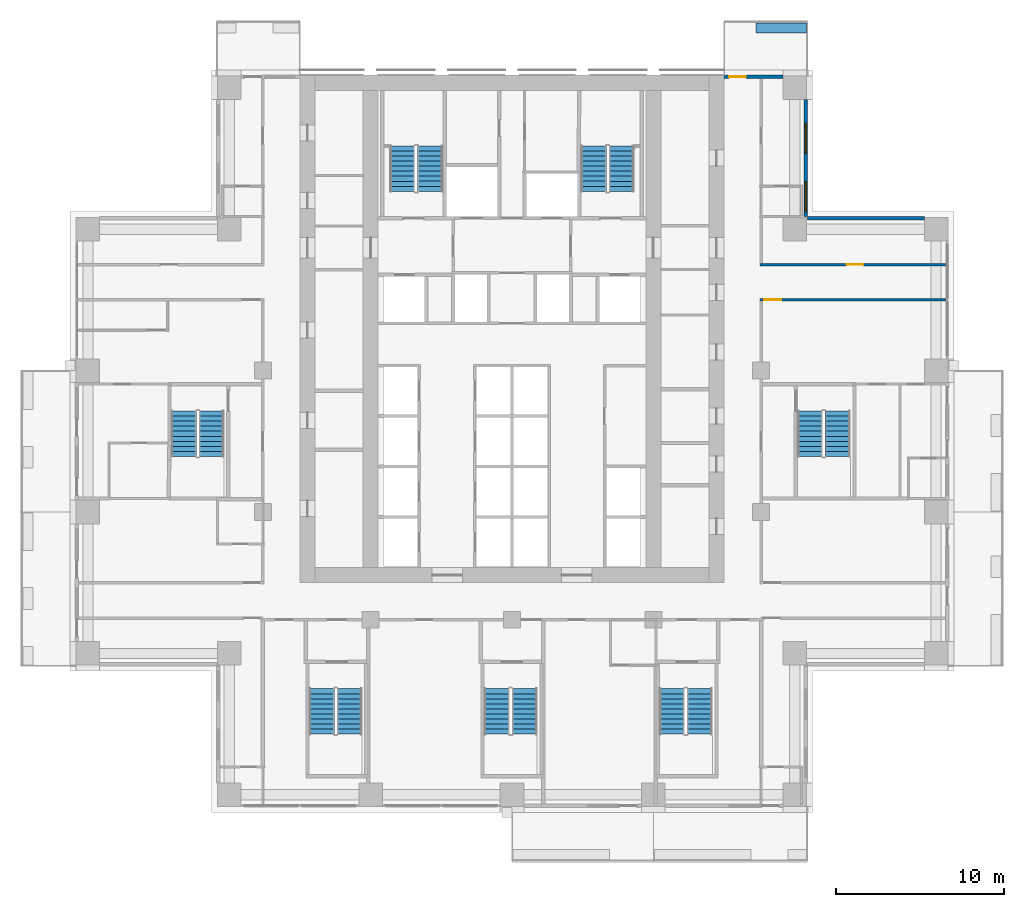
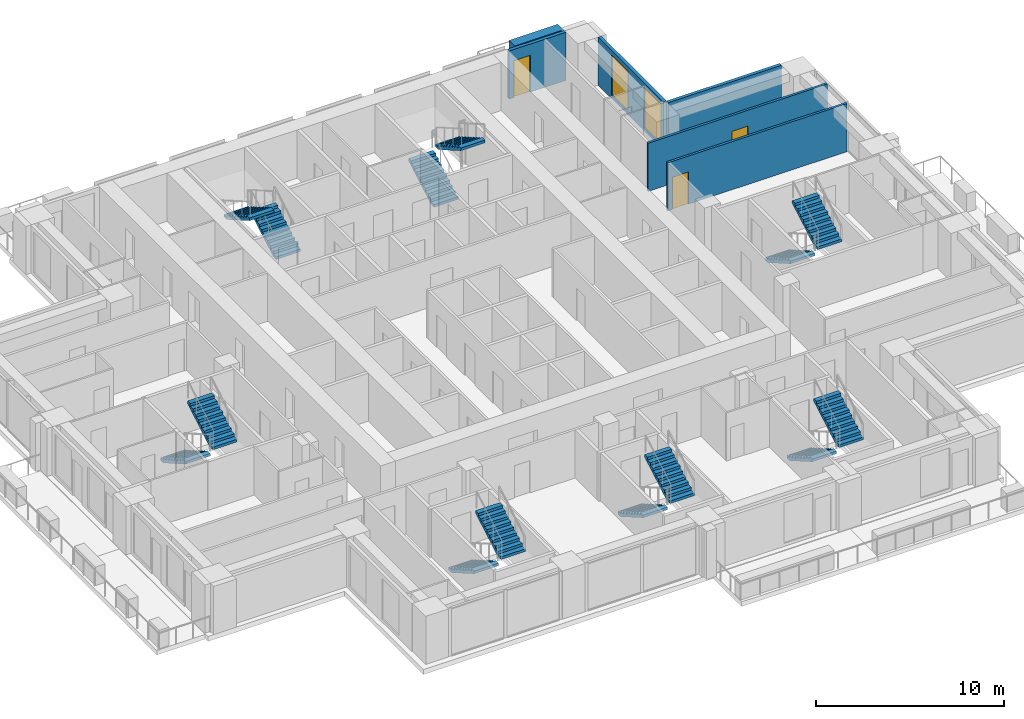
# One storey, part 14 of 17: 14 stair flights, 6 walls, 3 doors, 2 windows, 5 openings, 7 elements without a shape of their own.
"""IFC4 building model written with IfcOpenShell, lengths in metres."""

from ifc_helpers import new_model, si_unit, direction, frame, frame_2d, origin, place, context, subcontext, project, spatial, polyline, rectangle, outline, extrude, material, layer, layer_set, type_object, element, fill, aggregate, save


model = new_model("IFC4")

# Units and contexts
model_context = context("Model", 3, precision=1e-05, world=origin(), true_north=direction((0.0, 1.0)))
body_context = subcontext(model_context, "Body", "Model", "MODEL_VIEW")
ifc_project = project(units=[si_unit("LENGTHUNIT", "METRE"), si_unit("AREAUNIT", "SQUARE_METRE"), si_unit("VOLUMEUNIT", "CUBIC_METRE"), si_unit("PLANEANGLEUNIT", "RADIAN"), si_unit("MASSUNIT", "GRAM", prefix="KILO")], contexts=[model_context])

# Site, building, storey
site_placement = place(None, origin())
site = spatial("IfcSite", under=ifc_project, at=site_placement, CompositionType="ELEMENT")
building_placement = place(site_placement, origin())
building = spatial("IfcBuilding", under=site, at=building_placement, Name="Vermilion Ogive Tower", CompositionType="ELEMENT")
storey_placement = place(building_placement, frame((0.0, 0.0, 51.75)))
storey = spatial("IfcBuildingStorey", under=building, at=storey_placement, Name="L11", CompositionType="ELEMENT", Elevation=51.75)

# Wall, opening, door
ifc_material_1 = material(Name="Gypsum board partition on steel studs", Category="steel")
ifc_layer_1 = layer(ifc_material_1, 0.14990234375)
ifc_layer_set_1 = layer_set([ifc_layer_1], Name="Partition 150 corridor")
wall_type_1 = type_object("IfcWallType", Name="Partition 150 corridor", PredefinedType="PARTITIONING", material=ifc_layer_set_1)
wall_1_placement = place(storey_placement, frame((14.72509765625, 8.39990234375, 0.0), z_axis=(0.0, 0.0, 1.0), x_axis=(1.0, 0.0, 0.0)))
wall_1 = element("IfcWall", 1, at=wall_1_placement, inside=storey, type_object=wall_type_1, Name="L11-W-W032", PredefinedType="PARTITIONING", context=body_context, shape_type="SweptSolid", body=[
    extrude(rectangle(XDim=11.02490234375, YDim=0.14990234375, at=frame_2d((5.512451171875, 0.0))), origin(), (0.0, 0.0, 1.0), 3.1298828125),
])
opening_1_placement = place(wall_1_placement, frame((0.27490234375, 0.0, 0.0)))
opening_1 = element("IfcOpeningElement", 2, at=opening_1_placement, cuts=wall_1, Name="Opening D1G3018", PredefinedType="OPENING", context=body_context, shape_type="SweptSolid", body=[
    extrude(rectangle(XDim=1.0, YDim=2.10009765625, at=frame_2d((0.5, 1.050048828125))), frame((0.0, 0.0849609375, 0.0), z_axis=(0.0, -1.0, 0.0), x_axis=(1.0, 0.0, 0.0)), (0.0, 0.0, 1.0), 0.169921875),
])
ifc_material_2 = material(Name="Timber door leaf", Category="wood")
door_type_1 = type_object("IfcDoorType", Name="Unit door 1000 x 2100 FD30S", OperationType="SINGLE_SWING_LEFT", PredefinedType="DOOR", material=ifc_material_2)
door_1_placement = place(opening_1_placement, origin())
door_1 = element("IfcDoor", 3, at=door_1_placement, inside=storey, type_object=door_type_1, Name="L11-D-D018", OperationType="SINGLE_SWING_RIGHT", OverallHeight=2.10009765625, OverallWidth=1.0, PredefinedType="DOOR", context=body_context, shape_type="SweptSolid", body=[
    extrude(rectangle(XDim=1.0, YDim=2.10009765625, at=frame_2d((0.5, 1.050048828125))), frame((0.0, 0.02490234375, 0.0), z_axis=(0.0, -1.0, 0.0), x_axis=(1.0, 0.0, 0.0)), (0.0, 0.0, 1.0), 0.050048828125),
])
fill(opening_1, door_1)

wall_2_placement = place(storey_placement, frame((14.72509765625, 10.5, 0.0), z_axis=(0.0, 0.0, 1.0), x_axis=(1.0, 0.0, 0.0)))
wall_2 = element("IfcWall", 4, at=wall_2_placement, inside=storey, type_object=wall_type_1, Name="L11-W-W034", PredefinedType="PARTITIONING", context=body_context, shape_type="SweptSolid", body=[
    extrude(rectangle(XDim=11.02490234375, YDim=0.14990234375, at=frame_2d((5.512451171875, 0.0))), origin(), (0.0, 0.0, 1.0), 3.1298828125),
])
opening_2_placement = place(wall_2_placement, frame((5.14990234375, 0.0, 0.0)))
opening_2 = element("IfcOpeningElement", 5, at=opening_2_placement, cuts=wall_2, Name="Opening D1G3036", PredefinedType="OPENING", context=body_context, shape_type="SweptSolid", body=[
    extrude(rectangle(XDim=1.0, YDim=2.10009765625, at=frame_2d((0.5, 1.050048828125))), frame((0.0, 0.0849609375, 0.0), z_axis=(0.0, -1.0, 0.0), x_axis=(1.0, 0.0, 0.0)), (0.0, 0.0, 1.0), 0.169921875),
])
door_2_placement = place(opening_2_placement, origin())
door_2 = element("IfcDoor", 6, at=door_2_placement, inside=storey, type_object=door_type_1, Name="L11-D-D036", OperationType="SINGLE_SWING_RIGHT", OverallHeight=2.10009765625, OverallWidth=1.0, PredefinedType="DOOR", context=body_context, shape_type="SweptSolid", body=[
    extrude(rectangle(XDim=1.0, YDim=2.10009765625, at=frame_2d((0.5, 1.050048828125))), frame((0.0, 0.02490234375, 0.0), z_axis=(0.0, -1.0, 0.0), x_axis=(1.0, 0.0, 0.0)), (0.0, 0.0, 1.0), 0.050048828125),
])
fill(opening_2, door_2)

# Walls
ifc_material_3 = material(Name="Concrete B40", Category="concrete")
ifc_layer_2 = layer(ifc_material_3, 0.60009765625)
ifc_layer_set_2 = layer_set([ifc_layer_2], Name="Structural planter")
wall_type_2 = type_object("IfcWallType", Name="Structural planter", PredefinedType="USERDEFINED", material=ifc_layer_set_2)
wall_3_placement = place(storey_placement, frame((17.489990234375, 24.550048828125, -0.0400390625), z_axis=(0.0, 0.0, 1.0), x_axis=(-1.0, 0.0, 0.0)))
element("IfcWall", 7, at=wall_3_placement, inside=storey, type_object=wall_type_2, Name="Planter N101A1", ObjectType="PLANTER", PredefinedType="USERDEFINED", context=body_context, shape_type="SweptSolid", body=[
    extrude(rectangle(XDim=2.989990234375, YDim=0.60009765625, at=frame_2d((1.4951171875, 0.0))), origin(), (0.0, 0.0, 1.0), 1.199951171875),
])
ifc_material_4 = material(Name="Aluminium window wall framing", Category="aluminium")
ifc_layer_3 = layer(ifc_material_4, 0.199951171875)
ifc_layer_set_3 = layer_set([ifc_layer_3], Name="Window wall")
wall_type_3 = type_object("IfcWallType", Name="Window wall", PredefinedType="STANDARD", material=ifc_layer_set_3)
wall_4_placement = place(storey_placement, frame((24.5, 13.25, 0.0), z_axis=(0.0, 0.0, 1.0), x_axis=(-1.0, 0.0, 0.0)))
element("IfcWall", 8, at=wall_4_placement, inside=storey, type_object=wall_type_3, Name="Window wall X31", PredefinedType="STANDARD", context=body_context, shape_type="SweptSolid", body=[
    extrude(rectangle(XDim=6.949951171875, YDim=0.199951171875, at=frame_2d((3.47509765625, 0.0))), origin(), (0.0, 0.0, 1.0), 3.1298828125),
])

# Wall, openings, windows
wall_5_placement = place(storey_placement, frame((17.449951171875, 13.35009765625, 0.0), z_axis=(0.0, 0.0, 1.0), x_axis=(0.0, 1.0, 0.0)))
wall_5 = element("IfcWall", 9, at=wall_5_placement, inside=storey, type_object=wall_type_3, Name="Window wall X41", PredefinedType="STANDARD", context=body_context, shape_type="SweptSolid", body=[
    extrude(rectangle(XDim=6.949951171875, YDim=0.199951171875, at=frame_2d((3.47509765625, 0.0))), origin(), (0.0, 0.0, 1.0), 3.1298828125),
])
opening_3_placement = place(wall_5_placement, frame((0.27490234375, 0.0, 0.199951171875)))
opening_3 = element("IfcOpeningElement", 10, at=opening_3_placement, cuts=wall_5, Name="Opening W1-X403", PredefinedType="OPENING", context=body_context, shape_type="SweptSolid", body=[
    extrude(rectangle(XDim=1.800048828125, YDim=2.64990234375, at=frame_2d((0.89990234375, 1.324951171875))), frame((0.0, 0.10986328125, 0.0), z_axis=(0.0, -1.0, 0.0), x_axis=(1.0, 0.0, 0.0)), (0.0, 0.0, 1.0), 0.219970703125),
])
opening_4_placement = place(wall_5_placement, frame((3.75, 0.0, 0.199951171875)))
opening_4 = element("IfcOpeningElement", 11, at=opening_4_placement, cuts=wall_5, Name="Opening W1-X404", PredefinedType="OPENING", context=body_context, shape_type="SweptSolid", body=[
    extrude(rectangle(XDim=1.800048828125, YDim=2.64990234375, at=frame_2d((0.89990234375, 1.324951171875))), frame((0.0, 0.10986328125, 0.0), z_axis=(0.0, -1.0, 0.0), x_axis=(1.0, 0.0, 0.0)), (0.0, 0.0, 1.0), 0.219970703125),
])
ifc_material_5 = material(Name="Aluminium framed double glazing", Category="aluminium")
window_type = type_object("IfcWindowType", Name="Guest window W1", PartitioningType="SINGLE_PANEL", PredefinedType="WINDOW", material=ifc_material_5)
window_1_placement = place(opening_3_placement, origin())
window_1 = element("IfcWindow", 12, at=window_1_placement, inside=storey, type_object=window_type, Name="Window X403", OverallHeight=2.64990234375, OverallWidth=1.800048828125, PartitioningType="SINGLE_PANEL", PredefinedType="WINDOW", context=body_context, shape_type="SweptSolid", body=[
    extrude(rectangle(XDim=1.800048828125, YDim=2.64990234375, at=frame_2d((0.89990234375, 1.324951171875))), frame((0.0, 0.030029296875, 0.0), z_axis=(0.0, -1.0, 0.0), x_axis=(1.0, 0.0, 0.0)), (0.0, 0.0, 1.0), 0.06005859375),
])
fill(opening_3, window_1)
window_2_placement = place(opening_4_placement, origin())
window_2 = element("IfcWindow", 13, at=window_2_placement, inside=storey, type_object=window_type, Name="Window X404", OverallHeight=2.64990234375, OverallWidth=1.800048828125, PartitioningType="SINGLE_PANEL", PredefinedType="WINDOW", context=body_context, shape_type="SweptSolid", body=[
    extrude(rectangle(XDim=1.800048828125, YDim=2.64990234375, at=frame_2d((0.89990234375, 1.324951171875))), frame((0.0, 0.030029296875, 0.0), z_axis=(0.0, -1.0, 0.0), x_axis=(1.0, 0.0, 0.0)), (0.0, 0.0, 1.0), 0.06005859375),
])
fill(opening_4, window_2)

# Wall, opening, door
wall_6_placement = place(storey_placement, frame((16.10009765625, 21.64990234375, 0.0), z_axis=(0.0, 0.0, 1.0), x_axis=(-1.0, 0.0, 0.0)))
wall_6 = element("IfcWall", 14, at=wall_6_placement, inside=storey, type_object=wall_type_3, Name="Window wall N11", PredefinedType="STANDARD", context=body_context, shape_type="SweptSolid", body=[
    extrude(rectangle(XDim=3.5, YDim=0.199951171875, at=frame_2d((1.75, 0.0))), origin(), (0.0, 0.0, 1.0), 3.1298828125),
])
opening_5_placement = place(wall_6_placement, frame((2.199951171875, 0.0, 0.0)))
opening_5 = element("IfcOpeningElement", 15, at=opening_5_placement, cuts=wall_6, Name="Opening D1-N103", PredefinedType="OPENING", context=body_context, shape_type="SweptSolid", body=[
    extrude(rectangle(XDim=1.0, YDim=2.39990234375, at=frame_2d((0.5, 1.199951171875))), frame((0.0, 0.10986328125, 0.0), z_axis=(0.0, -1.0, 0.0), x_axis=(1.0, 0.0, 0.0)), (0.0, 0.0, 1.0), 0.219970703125),
])
ifc_material_6 = material(Name="Aluminium framed glazed door", Category="aluminium")
door_type_2 = type_object("IfcDoorType", Name="Balcony door D1", OperationType="SINGLE_SWING_LEFT", PredefinedType="DOOR", material=ifc_material_6)
door_3_placement = place(opening_5_placement, origin())
door_3 = element("IfcDoor", 16, at=door_3_placement, inside=storey, type_object=door_type_2, Name="Balcony door N103", OperationType="SINGLE_SWING_LEFT", OverallHeight=2.39990234375, OverallWidth=1.0, PredefinedType="DOOR", context=body_context, shape_type="SweptSolid", body=[
    extrude(rectangle(XDim=1.0, YDim=2.39990234375, at=frame_2d((0.5, 1.199951171875))), frame((0.0, 0.02490234375, 0.0), z_axis=(0.0, -1.0, 0.0), x_axis=(1.0, 0.0, 0.0)), (0.0, 0.0, 1.0), 0.050048828125),
])
fill(opening_5, door_3)

# Stair, stair flights
ifc_material_7 = material(Name="Concrete B40", Category="concrete")
stair_type = type_object("IfcStairType", Name="Exit stair 1500", PredefinedType="HALF_TURN_STAIR", material=ifc_material_7)
stair_1_placement = place(storey_placement, origin())
stair_1 = element("IfcStair", 17, at=stair_1_placement, inside=storey, type_object=stair_type, Name="L11 Exit Stair ST1", PredefinedType="HALF_TURN_STAIR")
ifc_material_8 = material(Name="Concrete B40", Category="concrete")
stair_flight_type = type_object("IfcStairFlightType", Name="Stair flight 1500", PredefinedType="STRAIGHT", material=ifc_material_8)
stair_flight_1_placement = place(storey_placement, frame((-4.85009765625, 14.85009765625, 0.0), z_axis=(0.0, 0.0, 1.0), x_axis=(0.0, 1.0, 0.0)))
stair_flight_1 = element("IfcStairFlight", 18, at=stair_flight_1_placement, type_object=stair_flight_type, Name="ST1 flight 1", NumberOfRisers=10, NumberOfTreads=9, PredefinedType="STRAIGHT", RiserHeight=0.1725, TreadLength=0.3, context=body_context, shape_type="SweptSolid", body=[
    extrude(outline(polyline([(0.0, 0.0), (0.0, 0.172607421875), (0.300048828125, 0.172607421875), (0.300048828125, 0.344970703125), (0.60009765625, 0.344970703125), (0.60009765625, 0.517578125), (0.89990234375, 0.517578125), (0.89990234375, 0.68994140625), (1.199951171875, 0.68994140625), (1.199951171875, 0.862548828125), (1.5, 0.862548828125), (1.5, 1.034912109375), (1.800048828125, 1.034912109375), (1.800048828125, 1.20751953125), (2.10009765625, 1.20751953125), (2.10009765625, 1.3798828125), (2.39990234375, 1.3798828125), (2.39990234375, 1.552490234375), (2.699951171875, 1.552490234375), (2.699951171875, 1.72509765625), (2.699951171875, 1.379638671875), (0.30078125, 0.0), (0.0, 0.0)])), frame((0.0, 0.75, 0.0), z_axis=(0.0, -1.0, 0.0), x_axis=(1.0, 0.0, 0.0)), (0.0, 0.0, 1.0), 1.5),
])
stair_flight_2_placement = place(storey_placement, frame((-6.5, 17.550048828125, 1.72509765625), z_axis=(0.0, 0.0, 1.0), x_axis=(0.0, -1.0, 0.0)))
stair_flight_2 = element("IfcStairFlight", 19, at=stair_flight_2_placement, type_object=stair_flight_type, Name="ST1 flight 2", NumberOfRisers=10, NumberOfTreads=9, PredefinedType="STRAIGHT", RiserHeight=0.1725, TreadLength=0.3, context=body_context, shape_type="SweptSolid", body=[
    extrude(outline(polyline([(0.0, 0.0), (0.0, 0.172607421875), (0.300048828125, 0.172607421875), (0.300048828125, 0.344970703125), (0.60009765625, 0.344970703125), (0.60009765625, 0.517578125), (0.89990234375, 0.517578125), (0.89990234375, 0.68994140625), (1.199951171875, 0.68994140625), (1.199951171875, 0.862548828125), (1.5, 0.862548828125), (1.5, 1.034912109375), (1.800048828125, 1.034912109375), (1.800048828125, 1.20751953125), (2.10009765625, 1.20751953125), (2.10009765625, 1.3798828125), (2.39990234375, 1.3798828125), (2.39990234375, 1.552490234375), (2.699951171875, 1.552490234375), (2.699951171875, 1.72509765625), (2.699951171875, 1.379638671875), (0.30078125, 0.0), (0.0, 0.0)])), frame((0.0, 0.75, 0.0), z_axis=(0.0, -1.0, 0.0), x_axis=(1.0, 0.0, 0.0)), (0.0, 0.0, 1.0), 1.5),
])
aggregate(stair_1, [stair_flight_1, stair_flight_2])

stair_2_placement = place(storey_placement, origin())
stair_2 = element("IfcStair", 20, at=stair_2_placement, inside=storey, type_object=stair_type, Name="L11 Exit Stair ST2", PredefinedType="HALF_TURN_STAIR")
stair_flight_3_placement = place(storey_placement, frame((4.85009765625, 14.85009765625, 0.0), z_axis=(0.0, 0.0, 1.0), x_axis=(0.0, 1.0, 0.0)))
stair_flight_3 = element("IfcStairFlight", 21, at=stair_flight_3_placement, type_object=stair_flight_type, Name="ST2 flight 1", NumberOfRisers=10, NumberOfTreads=9, PredefinedType="STRAIGHT", RiserHeight=0.1725, TreadLength=0.3, context=body_context, shape_type="SweptSolid", body=[
    extrude(outline(polyline([(0.0, 0.0), (0.0, 0.172607421875), (0.300048828125, 0.172607421875), (0.300048828125, 0.344970703125), (0.60009765625, 0.344970703125), (0.60009765625, 0.517578125), (0.89990234375, 0.517578125), (0.89990234375, 0.68994140625), (1.199951171875, 0.68994140625), (1.199951171875, 0.862548828125), (1.5, 0.862548828125), (1.5, 1.034912109375), (1.800048828125, 1.034912109375), (1.800048828125, 1.20751953125), (2.10009765625, 1.20751953125), (2.10009765625, 1.3798828125), (2.39990234375, 1.3798828125), (2.39990234375, 1.552490234375), (2.699951171875, 1.552490234375), (2.699951171875, 1.72509765625), (2.699951171875, 1.379638671875), (0.30078125, 0.0), (0.0, 0.0)])), frame((0.0, 0.75, 0.0), z_axis=(0.0, -1.0, 0.0), x_axis=(1.0, 0.0, 0.0)), (0.0, 0.0, 1.0), 1.5),
])
stair_flight_4_placement = place(storey_placement, frame((6.5, 17.550048828125, 1.72509765625), z_axis=(0.0, 0.0, 1.0), x_axis=(0.0, -1.0, 0.0)))
stair_flight_4 = element("IfcStairFlight", 22, at=stair_flight_4_placement, type_object=stair_flight_type, Name="ST2 flight 2", NumberOfRisers=10, NumberOfTreads=9, PredefinedType="STRAIGHT", RiserHeight=0.1725, TreadLength=0.3, context=body_context, shape_type="SweptSolid", body=[
    extrude(outline(polyline([(0.0, 0.0), (0.0, 0.172607421875), (0.300048828125, 0.172607421875), (0.300048828125, 0.344970703125), (0.60009765625, 0.344970703125), (0.60009765625, 0.517578125), (0.89990234375, 0.517578125), (0.89990234375, 0.68994140625), (1.199951171875, 0.68994140625), (1.199951171875, 0.862548828125), (1.5, 0.862548828125), (1.5, 1.034912109375), (1.800048828125, 1.034912109375), (1.800048828125, 1.20751953125), (2.10009765625, 1.20751953125), (2.10009765625, 1.3798828125), (2.39990234375, 1.3798828125), (2.39990234375, 1.552490234375), (2.699951171875, 1.552490234375), (2.699951171875, 1.72509765625), (2.699951171875, 1.379638671875), (0.30078125, 0.0), (0.0, 0.0)])), frame((0.0, 0.75, 0.0), z_axis=(0.0, -1.0, 0.0), x_axis=(1.0, 0.0, 0.0)), (0.0, 0.0, 1.0), 1.5),
])
aggregate(stair_2, [stair_flight_3, stair_flight_4])

stair_3_placement = place(storey_placement, origin())
stair_3 = element("IfcStair", 23, at=stair_3_placement, inside=storey, type_object=stair_type, Name="L11 Exit Stair ST3", PredefinedType="HALF_TURN_STAIR")
stair_flight_5_placement = place(storey_placement, frame((-11.300048828125, -14.699951171875, 0.0), z_axis=(0.0, 0.0, 1.0), x_axis=(0.0, -1.0, 0.0)))
stair_flight_5 = element("IfcStairFlight", 24, at=stair_flight_5_placement, type_object=stair_flight_type, Name="ST3 flight 1", NumberOfRisers=10, NumberOfTreads=9, PredefinedType="STRAIGHT", RiserHeight=0.1725, TreadLength=0.3, context=body_context, shape_type="SweptSolid", body=[
    extrude(outline(polyline([(0.0, 0.0), (0.0, 0.172607421875), (0.300048828125, 0.172607421875), (0.300048828125, 0.344970703125), (0.60009765625, 0.344970703125), (0.60009765625, 0.517578125), (0.89990234375, 0.517578125), (0.89990234375, 0.68994140625), (1.199951171875, 0.68994140625), (1.199951171875, 0.862548828125), (1.5, 0.862548828125), (1.5, 1.034912109375), (1.800048828125, 1.034912109375), (1.800048828125, 1.20751953125), (2.10009765625, 1.20751953125), (2.10009765625, 1.3798828125), (2.39990234375, 1.3798828125), (2.39990234375, 1.552490234375), (2.699951171875, 1.552490234375), (2.699951171875, 1.72509765625), (2.699951171875, 1.379638671875), (0.30078125, 0.0), (0.0, 0.0)])), frame((0.0, 0.75, 0.0), z_axis=(0.0, -1.0, 0.0), x_axis=(1.0, 0.0, 0.0)), (0.0, 0.0, 1.0), 1.5),
])
stair_flight_6_placement = place(storey_placement, frame((-9.64990234375, -17.39990234375, 1.72509765625), z_axis=(0.0, 0.0, 1.0), x_axis=(0.0, 1.0, 0.0)))
stair_flight_6 = element("IfcStairFlight", 25, at=stair_flight_6_placement, type_object=stair_flight_type, Name="ST3 flight 2", NumberOfRisers=10, NumberOfTreads=9, PredefinedType="STRAIGHT", RiserHeight=0.1725, TreadLength=0.3, context=body_context, shape_type="SweptSolid", body=[
    extrude(outline(polyline([(0.0, 0.0), (0.0, 0.172607421875), (0.300048828125, 0.172607421875), (0.300048828125, 0.344970703125), (0.60009765625, 0.344970703125), (0.60009765625, 0.517578125), (0.89990234375, 0.517578125), (0.89990234375, 0.68994140625), (1.199951171875, 0.68994140625), (1.199951171875, 0.862548828125), (1.5, 0.862548828125), (1.5, 1.034912109375), (1.800048828125, 1.034912109375), (1.800048828125, 1.20751953125), (2.10009765625, 1.20751953125), (2.10009765625, 1.3798828125), (2.39990234375, 1.3798828125), (2.39990234375, 1.552490234375), (2.699951171875, 1.552490234375), (2.699951171875, 1.72509765625), (2.699951171875, 1.379638671875), (0.30078125, 0.0), (0.0, 0.0)])), frame((0.0, 0.75, 0.0), z_axis=(0.0, -1.0, 0.0), x_axis=(1.0, 0.0, 0.0)), (0.0, 0.0, 1.0), 1.5),
])
aggregate(stair_3, [stair_flight_5, stair_flight_6])

stair_4_placement = place(storey_placement, origin())
stair_4 = element("IfcStair", 26, at=stair_4_placement, inside=storey, type_object=stair_type, Name="L11 Exit Stair ST4", PredefinedType="HALF_TURN_STAIR")
stair_flight_7_placement = place(storey_placement, frame((-0.89990234375, -14.699951171875, 0.0), z_axis=(0.0, 0.0, 1.0), x_axis=(0.0, -1.0, 0.0)))
stair_flight_7 = element("IfcStairFlight", 27, at=stair_flight_7_placement, type_object=stair_flight_type, Name="ST4 flight 1", NumberOfRisers=10, NumberOfTreads=9, PredefinedType="STRAIGHT", RiserHeight=0.1725, TreadLength=0.3, context=body_context, shape_type="SweptSolid", body=[
    extrude(outline(polyline([(0.0, 0.0), (0.0, 0.172607421875), (0.300048828125, 0.172607421875), (0.300048828125, 0.344970703125), (0.60009765625, 0.344970703125), (0.60009765625, 0.517578125), (0.89990234375, 0.517578125), (0.89990234375, 0.68994140625), (1.199951171875, 0.68994140625), (1.199951171875, 0.862548828125), (1.5, 0.862548828125), (1.5, 1.034912109375), (1.800048828125, 1.034912109375), (1.800048828125, 1.20751953125), (2.10009765625, 1.20751953125), (2.10009765625, 1.3798828125), (2.39990234375, 1.3798828125), (2.39990234375, 1.552490234375), (2.699951171875, 1.552490234375), (2.699951171875, 1.72509765625), (2.699951171875, 1.379638671875), (0.30078125, 0.0), (0.0, 0.0)])), frame((0.0, 0.75, 0.0), z_axis=(0.0, -1.0, 0.0), x_axis=(1.0, 0.0, 0.0)), (0.0, 0.0, 1.0), 1.5),
])
stair_flight_8_placement = place(storey_placement, frame((0.75, -17.39990234375, 1.72509765625), z_axis=(0.0, 0.0, 1.0), x_axis=(0.0, 1.0, 0.0)))
stair_flight_8 = element("IfcStairFlight", 28, at=stair_flight_8_placement, type_object=stair_flight_type, Name="ST4 flight 2", NumberOfRisers=10, NumberOfTreads=9, PredefinedType="STRAIGHT", RiserHeight=0.1725, TreadLength=0.3, context=body_context, shape_type="SweptSolid", body=[
    extrude(outline(polyline([(0.0, 0.0), (0.0, 0.172607421875), (0.300048828125, 0.172607421875), (0.300048828125, 0.344970703125), (0.60009765625, 0.344970703125), (0.60009765625, 0.517578125), (0.89990234375, 0.517578125), (0.89990234375, 0.68994140625), (1.199951171875, 0.68994140625), (1.199951171875, 0.862548828125), (1.5, 0.862548828125), (1.5, 1.034912109375), (1.800048828125, 1.034912109375), (1.800048828125, 1.20751953125), (2.10009765625, 1.20751953125), (2.10009765625, 1.3798828125), (2.39990234375, 1.3798828125), (2.39990234375, 1.552490234375), (2.699951171875, 1.552490234375), (2.699951171875, 1.72509765625), (2.699951171875, 1.379638671875), (0.30078125, 0.0), (0.0, 0.0)])), frame((0.0, 0.75, 0.0), z_axis=(0.0, -1.0, 0.0), x_axis=(1.0, 0.0, 0.0)), (0.0, 0.0, 1.0), 1.5),
])
aggregate(stair_4, [stair_flight_7, stair_flight_8])

stair_5_placement = place(storey_placement, origin())
stair_5 = element("IfcStair", 29, at=stair_5_placement, inside=storey, type_object=stair_type, Name="L11 Exit Stair ST5", PredefinedType="HALF_TURN_STAIR")
stair_flight_9_placement = place(storey_placement, frame((9.5, -14.699951171875, 0.0), z_axis=(0.0, 0.0, 1.0), x_axis=(0.0, -1.0, 0.0)))
stair_flight_9 = element("IfcStairFlight", 30, at=stair_flight_9_placement, type_object=stair_flight_type, Name="ST5 flight 1", NumberOfRisers=10, NumberOfTreads=9, PredefinedType="STRAIGHT", RiserHeight=0.1725, TreadLength=0.3, context=body_context, shape_type="SweptSolid", body=[
    extrude(outline(polyline([(0.0, 0.0), (0.0, 0.172607421875), (0.300048828125, 0.172607421875), (0.300048828125, 0.344970703125), (0.60009765625, 0.344970703125), (0.60009765625, 0.517578125), (0.89990234375, 0.517578125), (0.89990234375, 0.68994140625), (1.199951171875, 0.68994140625), (1.199951171875, 0.862548828125), (1.5, 0.862548828125), (1.5, 1.034912109375), (1.800048828125, 1.034912109375), (1.800048828125, 1.20751953125), (2.10009765625, 1.20751953125), (2.10009765625, 1.3798828125), (2.39990234375, 1.3798828125), (2.39990234375, 1.552490234375), (2.699951171875, 1.552490234375), (2.699951171875, 1.72509765625), (2.699951171875, 1.379638671875), (0.30078125, 0.0), (0.0, 0.0)])), frame((0.0, 0.75, 0.0), z_axis=(0.0, -1.0, 0.0), x_axis=(1.0, 0.0, 0.0)), (0.0, 0.0, 1.0), 1.5),
])
stair_flight_10_placement = place(storey_placement, frame((11.14990234375, -17.39990234375, 1.72509765625), z_axis=(0.0, 0.0, 1.0), x_axis=(0.0, 1.0, 0.0)))
stair_flight_10 = element("IfcStairFlight", 31, at=stair_flight_10_placement, type_object=stair_flight_type, Name="ST5 flight 2", NumberOfRisers=10, NumberOfTreads=9, PredefinedType="STRAIGHT", RiserHeight=0.1725, TreadLength=0.3, context=body_context, shape_type="SweptSolid", body=[
    extrude(outline(polyline([(0.0, 0.0), (0.0, 0.172607421875), (0.300048828125, 0.172607421875), (0.300048828125, 0.344970703125), (0.60009765625, 0.344970703125), (0.60009765625, 0.517578125), (0.89990234375, 0.517578125), (0.89990234375, 0.68994140625), (1.199951171875, 0.68994140625), (1.199951171875, 0.862548828125), (1.5, 0.862548828125), (1.5, 1.034912109375), (1.800048828125, 1.034912109375), (1.800048828125, 1.20751953125), (2.10009765625, 1.20751953125), (2.10009765625, 1.3798828125), (2.39990234375, 1.3798828125), (2.39990234375, 1.552490234375), (2.699951171875, 1.552490234375), (2.699951171875, 1.72509765625), (2.699951171875, 1.379638671875), (0.30078125, 0.0), (0.0, 0.0)])), frame((0.0, 0.75, 0.0), z_axis=(0.0, -1.0, 0.0), x_axis=(1.0, 0.0, 0.0)), (0.0, 0.0, 1.0), 1.5),
])
aggregate(stair_5, [stair_flight_9, stair_flight_10])

stair_6_placement = place(storey_placement, origin())
stair_6 = element("IfcStair", 32, at=stair_6_placement, inside=storey, type_object=stair_type, Name="L11 Exit Stair ST8", PredefinedType="HALF_TURN_STAIR")
stair_flight_11_placement = place(storey_placement, frame((17.699951171875, 1.800048828125, 0.0), z_axis=(0.0, 0.0, 1.0), x_axis=(0.0, -1.0, 0.0)))
stair_flight_11 = element("IfcStairFlight", 33, at=stair_flight_11_placement, type_object=stair_flight_type, Name="ST8 flight 1", NumberOfRisers=10, NumberOfTreads=9, PredefinedType="STRAIGHT", RiserHeight=0.1725, TreadLength=0.3, context=body_context, shape_type="SweptSolid", body=[
    extrude(outline(polyline([(0.0, 0.0), (0.0, 0.172607421875), (0.300048828125, 0.172607421875), (0.300048828125, 0.344970703125), (0.60009765625, 0.344970703125), (0.60009765625, 0.517578125), (0.89990234375, 0.517578125), (0.89990234375, 0.68994140625), (1.199951171875, 0.68994140625), (1.199951171875, 0.862548828125), (1.5, 0.862548828125), (1.5, 1.034912109375), (1.800048828125, 1.034912109375), (1.800048828125, 1.20751953125), (2.10009765625, 1.20751953125), (2.10009765625, 1.3798828125), (2.39990234375, 1.3798828125), (2.39990234375, 1.552490234375), (2.699951171875, 1.552490234375), (2.699951171875, 1.72509765625), (2.699951171875, 1.379638671875), (0.30078125, 0.0), (0.0, 0.0)])), frame((0.0, 0.75, 0.0), z_axis=(0.0, -1.0, 0.0), x_axis=(1.0, 0.0, 0.0)), (0.0, 0.0, 1.0), 1.5),
])
stair_flight_12_placement = place(storey_placement, frame((19.35009765625, -0.89990234375, 1.72509765625), z_axis=(0.0, 0.0, 1.0), x_axis=(0.0, 1.0, 0.0)))
stair_flight_12 = element("IfcStairFlight", 34, at=stair_flight_12_placement, type_object=stair_flight_type, Name="ST8 flight 2", NumberOfRisers=10, NumberOfTreads=9, PredefinedType="STRAIGHT", RiserHeight=0.1725, TreadLength=0.3, context=body_context, shape_type="SweptSolid", body=[
    extrude(outline(polyline([(0.0, 0.0), (0.0, 0.172607421875), (0.300048828125, 0.172607421875), (0.300048828125, 0.344970703125), (0.60009765625, 0.344970703125), (0.60009765625, 0.517578125), (0.89990234375, 0.517578125), (0.89990234375, 0.68994140625), (1.199951171875, 0.68994140625), (1.199951171875, 0.862548828125), (1.5, 0.862548828125), (1.5, 1.034912109375), (1.800048828125, 1.034912109375), (1.800048828125, 1.20751953125), (2.10009765625, 1.20751953125), (2.10009765625, 1.3798828125), (2.39990234375, 1.3798828125), (2.39990234375, 1.552490234375), (2.699951171875, 1.552490234375), (2.699951171875, 1.72509765625), (2.699951171875, 1.379638671875), (0.30078125, 0.0), (0.0, 0.0)])), frame((0.0, 0.75, 0.0), z_axis=(0.0, -1.0, 0.0), x_axis=(1.0, 0.0, 0.0)), (0.0, 0.0, 1.0), 1.5),
])
aggregate(stair_6, [stair_flight_11, stair_flight_12])

stair_7_placement = place(storey_placement, origin())
stair_7 = element("IfcStair", 35, at=stair_7_placement, inside=storey, type_object=stair_type, Name="L11 Exit Stair ST9", PredefinedType="HALF_TURN_STAIR")
stair_flight_13_placement = place(storey_placement, frame((-19.5, 1.800048828125, 0.0), z_axis=(0.0, 0.0, 1.0), x_axis=(0.0, -1.0, 0.0)))
stair_flight_13 = element("IfcStairFlight", 36, at=stair_flight_13_placement, type_object=stair_flight_type, Name="ST9 flight 1", NumberOfRisers=10, NumberOfTreads=9, PredefinedType="STRAIGHT", RiserHeight=0.1725, TreadLength=0.3, context=body_context, shape_type="SweptSolid", body=[
    extrude(outline(polyline([(0.0, 0.0), (0.0, 0.172607421875), (0.300048828125, 0.172607421875), (0.300048828125, 0.344970703125), (0.60009765625, 0.344970703125), (0.60009765625, 0.517578125), (0.89990234375, 0.517578125), (0.89990234375, 0.68994140625), (1.199951171875, 0.68994140625), (1.199951171875, 0.862548828125), (1.5, 0.862548828125), (1.5, 1.034912109375), (1.800048828125, 1.034912109375), (1.800048828125, 1.20751953125), (2.10009765625, 1.20751953125), (2.10009765625, 1.3798828125), (2.39990234375, 1.3798828125), (2.39990234375, 1.552490234375), (2.699951171875, 1.552490234375), (2.699951171875, 1.72509765625), (2.699951171875, 1.379638671875), (0.30078125, 0.0), (0.0, 0.0)])), frame((0.0, 0.75, 0.0), z_axis=(0.0, -1.0, 0.0), x_axis=(1.0, 0.0, 0.0)), (0.0, 0.0, 1.0), 1.5),
])
stair_flight_14_placement = place(storey_placement, frame((-17.85009765625, -0.89990234375, 1.72509765625), z_axis=(0.0, 0.0, 1.0), x_axis=(0.0, 1.0, 0.0)))
stair_flight_14 = element("IfcStairFlight", 37, at=stair_flight_14_placement, type_object=stair_flight_type, Name="ST9 flight 2", NumberOfRisers=10, NumberOfTreads=9, PredefinedType="STRAIGHT", RiserHeight=0.1725, TreadLength=0.3, context=body_context, shape_type="SweptSolid", body=[
    extrude(outline(polyline([(0.0, 0.0), (0.0, 0.172607421875), (0.300048828125, 0.172607421875), (0.300048828125, 0.344970703125), (0.60009765625, 0.344970703125), (0.60009765625, 0.517578125), (0.89990234375, 0.517578125), (0.89990234375, 0.68994140625), (1.199951171875, 0.68994140625), (1.199951171875, 0.862548828125), (1.5, 0.862548828125), (1.5, 1.034912109375), (1.800048828125, 1.034912109375), (1.800048828125, 1.20751953125), (2.10009765625, 1.20751953125), (2.10009765625, 1.3798828125), (2.39990234375, 1.3798828125), (2.39990234375, 1.552490234375), (2.699951171875, 1.552490234375), (2.699951171875, 1.72509765625), (2.699951171875, 1.379638671875), (0.30078125, 0.0), (0.0, 0.0)])), frame((0.0, 0.75, 0.0), z_axis=(0.0, -1.0, 0.0), x_axis=(1.0, 0.0, 0.0)), (0.0, 0.0, 1.0), 1.5),
])
aggregate(stair_7, [stair_flight_13, stair_flight_14])

save(model, "model.ifc")
